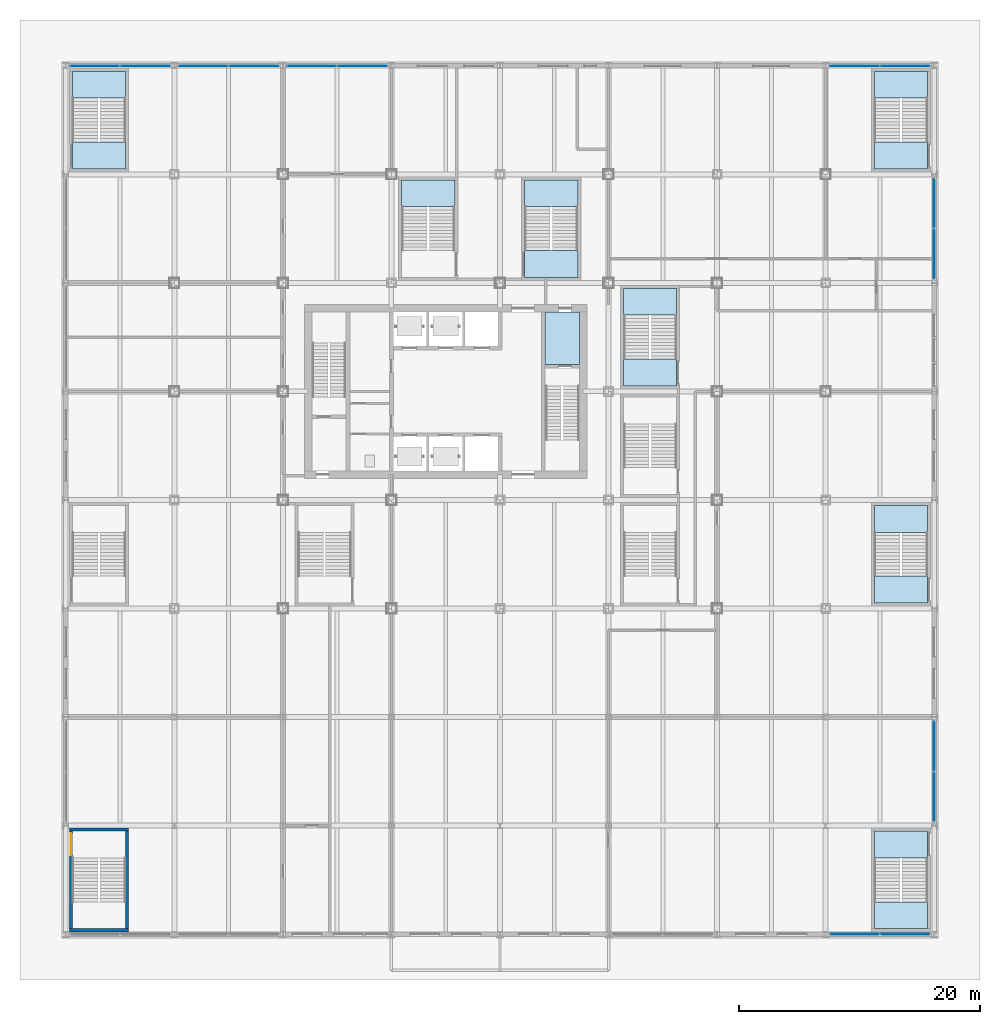
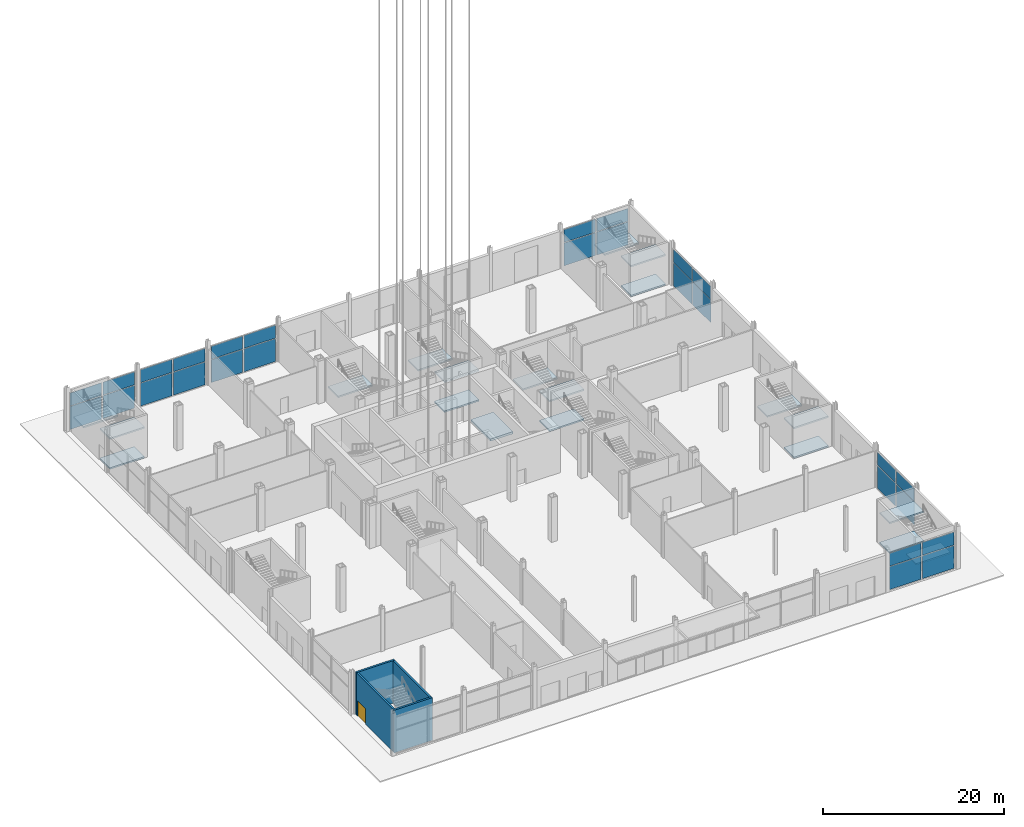
# One storey, part 17 of 34: 28 plates, 20 slabs, 4 walls, 1 door, 1 opening, 14 elements without a shape of their own.
"""IFC4 building model written with IfcOpenShell, lengths in metres."""

from ifc_helpers import new_model, si_unit, direction, frame, frame_2d, origin, origin_2d, place, context, subcontext, project, spatial, polyline, rectangle, outline, extrude, material, layer, layer_set, type_object, element, fill, aggregate, save


model = new_model("IFC4")

# Units and contexts
model_context = context("Model", 3, precision=1e-05, world=origin(), true_north=direction((0.0, 1.0)))
body_context = subcontext(model_context, "Body", "Model", "MODEL_VIEW")
ifc_project = project(units=[si_unit("LENGTHUNIT", "METRE"), si_unit("AREAUNIT", "SQUARE_METRE"), si_unit("VOLUMEUNIT", "CUBIC_METRE"), si_unit("PLANEANGLEUNIT", "RADIAN"), si_unit("MASSUNIT", "GRAM", prefix="KILO")], contexts=[model_context])

# Site, building, storey
site_placement = place(None, origin())
site = spatial("IfcSite", under=ifc_project, at=site_placement, CompositionType="ELEMENT")
building_placement = place(site_placement, origin())
building = spatial("IfcBuilding", under=site, at=building_placement, Name="Loomwork Tower", CompositionType="ELEMENT")
storey_placement = place(building_placement, origin())
storey = spatial("IfcBuildingStorey", under=building, at=storey_placement, Name="L00", CompositionType="ELEMENT", Elevation=0.0)

# Slab
ifc_material_1 = material(Name="Concrete 5000 psi (34 MPa) on composite metal deck", Category="concrete")
ifc_layer_1 = layer(ifc_material_1, 0.300048828125)
ifc_layer_set_1 = layer_set([ifc_layer_1], Name="Floor slab 300")
slab_type_1 = type_object("IfcSlabType", Name="Floor slab 300", PredefinedType="FLOOR", material=ifc_layer_set_1)
slab_1_placement = place(storey_placement, frame((0.0, 0.0, -0.300048828125)))
element("IfcSlab", 1, at=slab_1_placement, inside=storey, type_object=slab_type_1, Name="Floor slab L00", PredefinedType="FLOOR", context=body_context, shape_type="SweptSolid", body=[
    extrude(outline(polyline([(33.60009765625, 20.25), (30.75, 20.25), (30.75, 24.60009765625), (33.60009765625, 24.60009765625), (33.60009765625, 20.25)])), origin(), (0.0, 0.0, 1.0), 0.300048828125),
])

# Stair, slabs
ifc_material_2 = material(Name="Concrete 5000 psi (34 MPa) precast stair", Category="concrete")
stair_type_1 = type_object("IfcStairType", Name="Stair ST-S2P 42 risers of 143 4400 wide", PredefinedType="HALF_TURN_STAIR", material=ifc_material_2)
stair_1_placement = place(storey_placement, origin())
stair_1 = element("IfcStair", 2, at=stair_1_placement, inside=storey, type_object=stair_type_1, Name="Podium stair PS2 L00", PredefinedType="HALF_TURN_STAIR")
ifc_material_3 = material(Name="Concrete 5000 psi (34 MPa)", Category="concrete")
ifc_layer_2 = layer(ifc_material_3, 0.199951171875)
ifc_layer_set_2 = layer_set([ifc_layer_2], Name="Stair landing 200")
slab_type_2 = type_object("IfcSlabType", Name="Stair landing 200", PredefinedType="LANDING", material=ifc_layer_set_2)
slab_2_placement = place(storey_placement, frame((0.0, 0.0, -0.199951171875)))
slab_2 = element("IfcSlab", 3, at=slab_2_placement, type_object=slab_type_2, Name="ST-S2P landing 1", PredefinedType="LANDING", context=body_context, shape_type="SweptSolid", body=[
    extrude(outline(polyline([(58.050048828125, -20.679931640625), (62.449951171875, -20.679931640625), (62.449951171875, -18.449951171875), (58.050048828125, -18.449951171875), (58.050048828125, -20.679931640625)])), origin(), (0.0, 0.0, 1.0), 0.199951171875),
])
slab_3_placement = place(storey_placement, frame((0.0, 0.0, 1.800048828125)))
slab_3 = element("IfcSlab", 4, at=slab_3_placement, type_object=slab_type_2, Name="ST-S2P landing 2", PredefinedType="LANDING", context=body_context, shape_type="SweptSolid", body=[
    extrude(outline(polyline([(58.050048828125, -26.550048828125), (62.449951171875, -26.550048828125), (62.449951171875, -24.320068359375), (58.050048828125, -24.320068359375), (58.050048828125, -26.550048828125)])), origin(), (0.0, 0.0, 1.0), 0.199951171875),
])
slab_4_placement = place(storey_placement, frame((0.0, 0.0, 3.800048828125)))
slab_4 = element("IfcSlab", 5, at=slab_4_placement, type_object=slab_type_2, Name="ST-S2P landing 3", PredefinedType="LANDING", context=body_context, shape_type="SweptSolid", body=[
    extrude(outline(polyline([(58.050048828125, -20.679931640625), (62.449951171875, -20.679931640625), (62.449951171875, -18.449951171875), (58.050048828125, -18.449951171875), (58.050048828125, -20.679931640625)])), origin(), (0.0, 0.0, 1.0), 0.199951171875),
])
aggregate(stair_1, [slab_2, slab_3, slab_4])

ifc_material_4 = material(Name="Concrete 5000 psi (34 MPa) precast stair", Category="concrete")
stair_type_2 = type_object("IfcStairType", Name="Stair ST-S3P 42 risers of 143 4400 wide", PredefinedType="HALF_TURN_STAIR", material=ifc_material_4)
stair_2_placement = place(storey_placement, origin())
stair_2 = element("IfcStair", 6, at=stair_2_placement, inside=storey, type_object=stair_type_2, Name="Podium stair PS3 L00", PredefinedType="HALF_TURN_STAIR")
slab_5_placement = place(storey_placement, frame((0.0, 0.0, -0.199951171875)))
slab_5 = element("IfcSlab", 7, at=slab_5_placement, type_object=slab_type_2, Name="ST-S3P landing 1", PredefinedType="LANDING", context=body_context, shape_type="SweptSolid", body=[
    extrude(outline(polyline([(-8.449951171875, 36.449951171875), (-4.050048828125, 36.449951171875), (-4.050048828125, 38.679931640625), (-8.449951171875, 38.679931640625), (-8.449951171875, 36.449951171875)])), origin(), (0.0, 0.0, 1.0), 0.199951171875),
])
slab_6_placement = place(storey_placement, frame((0.0, 0.0, 1.800048828125)))
slab_6 = element("IfcSlab", 8, at=slab_6_placement, type_object=slab_type_2, Name="ST-S3P landing 2", PredefinedType="LANDING", context=body_context, shape_type="SweptSolid", body=[
    extrude(outline(polyline([(-8.449951171875, 42.320068359375), (-4.050048828125, 42.320068359375), (-4.050048828125, 44.550048828125), (-8.449951171875, 44.550048828125), (-8.449951171875, 42.320068359375)])), origin(), (0.0, 0.0, 1.0), 0.199951171875),
])
slab_7_placement = place(storey_placement, frame((0.0, 0.0, 3.800048828125)))
slab_7 = element("IfcSlab", 9, at=slab_7_placement, type_object=slab_type_2, Name="ST-S3P landing 3", PredefinedType="LANDING", context=body_context, shape_type="SweptSolid", body=[
    extrude(outline(polyline([(-8.449951171875, 36.449951171875), (-4.050048828125, 36.449951171875), (-4.050048828125, 38.679931640625), (-8.449951171875, 38.679931640625), (-8.449951171875, 36.449951171875)])), origin(), (0.0, 0.0, 1.0), 0.199951171875),
])
aggregate(stair_2, [slab_5, slab_6, slab_7])

ifc_material_5 = material(Name="Concrete 5000 psi (34 MPa) precast stair", Category="concrete")
stair_type_3 = type_object("IfcStairType", Name="Stair ST-S4P 42 risers of 143 4400 wide", PredefinedType="HALF_TURN_STAIR", material=ifc_material_5)
stair_3_placement = place(storey_placement, origin())
stair_3 = element("IfcStair", 10, at=stair_3_placement, inside=storey, type_object=stair_type_3, Name="Podium stair PS4 L00", PredefinedType="HALF_TURN_STAIR")
slab_8_placement = place(storey_placement, frame((0.0, 0.0, -0.199951171875)))
slab_8 = element("IfcSlab", 11, at=slab_8_placement, type_object=slab_type_2, Name="ST-S4P landing 1", PredefinedType="LANDING", context=body_context, shape_type="SweptSolid", body=[
    extrude(outline(polyline([(58.050048828125, 36.449951171875), (62.449951171875, 36.449951171875), (62.449951171875, 38.679931640625), (58.050048828125, 38.679931640625), (58.050048828125, 36.449951171875)])), origin(), (0.0, 0.0, 1.0), 0.199951171875),
])
slab_9_placement = place(storey_placement, frame((0.0, 0.0, 1.800048828125)))
slab_9 = element("IfcSlab", 12, at=slab_9_placement, type_object=slab_type_2, Name="ST-S4P landing 2", PredefinedType="LANDING", context=body_context, shape_type="SweptSolid", body=[
    extrude(outline(polyline([(58.050048828125, 42.320068359375), (62.449951171875, 42.320068359375), (62.449951171875, 44.550048828125), (58.050048828125, 44.550048828125), (58.050048828125, 42.320068359375)])), origin(), (0.0, 0.0, 1.0), 0.199951171875),
])
slab_10_placement = place(storey_placement, frame((0.0, 0.0, 3.800048828125)))
slab_10 = element("IfcSlab", 13, at=slab_10_placement, type_object=slab_type_2, Name="ST-S4P landing 3", PredefinedType="LANDING", context=body_context, shape_type="SweptSolid", body=[
    extrude(outline(polyline([(58.050048828125, 36.449951171875), (62.449951171875, 36.449951171875), (62.449951171875, 38.679931640625), (58.050048828125, 38.679931640625), (58.050048828125, 36.449951171875)])), origin(), (0.0, 0.0, 1.0), 0.199951171875),
])
aggregate(stair_3, [slab_8, slab_9, slab_10])

ifc_material_6 = material(Name="Concrete 5000 psi (34 MPa) precast stair", Category="concrete")
stair_type_4 = type_object("IfcStairType", Name="Stair ST-S6P 42 risers of 143 4400 wide", PredefinedType="HALF_TURN_STAIR", material=ifc_material_6)
stair_4_placement = place(storey_placement, origin())
stair_4 = element("IfcStair", 14, at=stair_4_placement, inside=storey, type_object=stair_type_4, Name="Podium stair PS6 L00", PredefinedType="HALF_TURN_STAIR")
slab_11_placement = place(storey_placement, frame((0.0, 0.0, -0.199951171875)))
slab_11 = element("IfcSlab", 15, at=slab_11_placement, type_object=slab_type_2, Name="ST-S6P landing 1", PredefinedType="LANDING", context=body_context, shape_type="SweptSolid", body=[
    extrude(outline(polyline([(58.050048828125, 0.449951171875), (62.449951171875, 0.449951171875), (62.449951171875, 2.679931640625), (58.050048828125, 2.679931640625), (58.050048828125, 0.449951171875)])), origin(), (0.0, 0.0, 1.0), 0.199951171875),
])
slab_12_placement = place(storey_placement, frame((0.0, 0.0, 1.800048828125)))
slab_12 = element("IfcSlab", 16, at=slab_12_placement, type_object=slab_type_2, Name="ST-S6P landing 2", PredefinedType="LANDING", context=body_context, shape_type="SweptSolid", body=[
    extrude(outline(polyline([(58.050048828125, 6.320068359375), (62.449951171875, 6.320068359375), (62.449951171875, 8.550048828125), (58.050048828125, 8.550048828125), (58.050048828125, 6.320068359375)])), origin(), (0.0, 0.0, 1.0), 0.199951171875),
])
slab_13_placement = place(storey_placement, frame((0.0, 0.0, 3.800048828125)))
slab_13 = element("IfcSlab", 17, at=slab_13_placement, type_object=slab_type_2, Name="ST-S6P landing 3", PredefinedType="LANDING", context=body_context, shape_type="SweptSolid", body=[
    extrude(outline(polyline([(58.050048828125, 0.449951171875), (62.449951171875, 0.449951171875), (62.449951171875, 2.679931640625), (58.050048828125, 2.679931640625), (58.050048828125, 0.449951171875)])), origin(), (0.0, 0.0, 1.0), 0.199951171875),
])
aggregate(stair_4, [slab_11, slab_12, slab_13])

ifc_material_7 = material(Name="Concrete 5000 psi (34 MPa) precast stair", Category="concrete")
stair_type_5 = type_object("IfcStairType", Name="Stair ST-S9P 42 risers of 143 4400 wide", PredefinedType="HALF_TURN_STAIR", material=ifc_material_7)
stair_5_placement = place(storey_placement, origin())
stair_5 = element("IfcStair", 18, at=stair_5_placement, inside=storey, type_object=stair_type_5, Name="Podium stair PS9 L00", PredefinedType="HALF_TURN_STAIR")
slab_14_placement = place(storey_placement, frame((0.0, 0.0, -0.199951171875)))
slab_14 = element("IfcSlab", 19, at=slab_14_placement, type_object=slab_type_2, Name="ST-S9P landing 1", PredefinedType="LANDING", context=body_context, shape_type="SweptSolid", body=[
    extrude(outline(polyline([(37.25, 18.449951171875), (41.64990234375, 18.449951171875), (41.64990234375, 20.679931640625), (37.25, 20.679931640625), (37.25, 18.449951171875)])), origin(), (0.0, 0.0, 1.0), 0.199951171875),
])
slab_15_placement = place(storey_placement, frame((0.0, 0.0, 1.800048828125)))
slab_15 = element("IfcSlab", 20, at=slab_15_placement, type_object=slab_type_2, Name="ST-S9P landing 2", PredefinedType="LANDING", context=body_context, shape_type="SweptSolid", body=[
    extrude(outline(polyline([(37.25, 24.320068359375), (41.64990234375, 24.320068359375), (41.64990234375, 26.550048828125), (37.25, 26.550048828125), (37.25, 24.320068359375)])), origin(), (0.0, 0.0, 1.0), 0.199951171875),
])
slab_16_placement = place(storey_placement, frame((0.0, 0.0, 3.800048828125)))
slab_16 = element("IfcSlab", 21, at=slab_16_placement, type_object=slab_type_2, Name="ST-S9P landing 3", PredefinedType="LANDING", context=body_context, shape_type="SweptSolid", body=[
    extrude(outline(polyline([(37.25, 18.449951171875), (41.64990234375, 18.449951171875), (41.64990234375, 20.679931640625), (37.25, 20.679931640625), (37.25, 18.449951171875)])), origin(), (0.0, 0.0, 1.0), 0.199951171875),
])
aggregate(stair_5, [slab_14, slab_15, slab_16])

# Stair, slab
ifc_material_8 = material(Name="Concrete 5000 psi (34 MPa) precast stair", Category="concrete")
stair_type_6 = type_object("IfcStairType", Name="Stair ST-S10P 42 risers of 143 4400 wide", PredefinedType="HALF_TURN_STAIR", material=ifc_material_8)
stair_6_placement = place(storey_placement, origin())
stair_6 = element("IfcStair", 22, at=stair_6_placement, inside=storey, type_object=stair_type_6, Name="Podium stair PS10 L00", PredefinedType="HALF_TURN_STAIR")
slab_17_placement = place(storey_placement, frame((0.0, 0.0, 1.800048828125)))
slab_17 = element("IfcSlab", 23, at=slab_17_placement, type_object=slab_type_2, Name="ST-S10P landing 2", PredefinedType="LANDING", context=body_context, shape_type="SweptSolid", body=[
    extrude(outline(polyline([(18.85009765625, 33.320068359375), (23.25, 33.320068359375), (23.25, 35.550048828125), (18.85009765625, 35.550048828125), (18.85009765625, 33.320068359375)])), origin(), (0.0, 0.0, 1.0), 0.199951171875),
])
aggregate(stair_6, [slab_17])

# Stair, slabs
ifc_material_9 = material(Name="Concrete 5000 psi (34 MPa) precast stair", Category="concrete")
stair_type_7 = type_object("IfcStairType", Name="Stair ST-S11P 42 risers of 143 4400 wide", PredefinedType="HALF_TURN_STAIR", material=ifc_material_9)
stair_7_placement = place(storey_placement, origin())
stair_7 = element("IfcStair", 24, at=stair_7_placement, inside=storey, type_object=stair_type_7, Name="Podium stair PS11 L00", PredefinedType="HALF_TURN_STAIR")
slab_18_placement = place(storey_placement, frame((0.0, 0.0, -0.199951171875)))
slab_18 = element("IfcSlab", 25, at=slab_18_placement, type_object=slab_type_2, Name="ST-S11P landing 1", PredefinedType="LANDING", context=body_context, shape_type="SweptSolid", body=[
    extrude(outline(polyline([(29.050048828125, 27.449951171875), (33.449951171875, 27.449951171875), (33.449951171875, 29.679931640625), (29.050048828125, 29.679931640625), (29.050048828125, 27.449951171875)])), origin(), (0.0, 0.0, 1.0), 0.199951171875),
])
slab_19_placement = place(storey_placement, frame((0.0, 0.0, 1.800048828125)))
slab_19 = element("IfcSlab", 26, at=slab_19_placement, type_object=slab_type_2, Name="ST-S11P landing 2", PredefinedType="LANDING", context=body_context, shape_type="SweptSolid", body=[
    extrude(outline(polyline([(29.050048828125, 33.320068359375), (33.449951171875, 33.320068359375), (33.449951171875, 35.550048828125), (29.050048828125, 35.550048828125), (29.050048828125, 33.320068359375)])), origin(), (0.0, 0.0, 1.0), 0.199951171875),
])
slab_20_placement = place(storey_placement, frame((0.0, 0.0, 3.800048828125)))
slab_20 = element("IfcSlab", 27, at=slab_20_placement, type_object=slab_type_2, Name="ST-S11P landing 3", PredefinedType="LANDING", context=body_context, shape_type="SweptSolid", body=[
    extrude(outline(polyline([(29.050048828125, 27.449951171875), (33.449951171875, 27.449951171875), (33.449951171875, 29.679931640625), (29.050048828125, 29.679931640625), (29.050048828125, 27.449951171875)])), origin(), (0.0, 0.0, 1.0), 0.199951171875),
])
aggregate(stair_7, [slab_18, slab_19, slab_20])

# Curtain wall, plates
ifc_material_10 = material(Name="Aluminium storefront frame", Category="aluminium")
curtain_wall_type = type_object("IfcCurtainWallType", Name="Storefront glazing", PredefinedType="NOTDEFINED", material=ifc_material_10)
curtain_wall_1_placement = place(storey_placement, origin())
curtain_wall_1 = element("IfcCurtainWall", 28, at=curtain_wall_1_placement, inside=storey, type_object=curtain_wall_type, Name="Storefront glazing cw/S-54", PredefinedType="NOTDEFINED")
ifc_material_11 = material(Name="Clear insulated glass", Category="glass")
ifc_layer_3 = layer(ifc_material_11, 0.031982421875)
ifc_layer_set_3 = layer_set([ifc_layer_3], Name="Storefront glazing panel")
plate_type = type_object("IfcPlateType", Name="Storefront glazing panel", PredefinedType="CURTAIN_PANEL", material=ifc_layer_set_3)
plate_1_placement = place(storey_placement, frame((56.4033203125, -27.0, 0.074951171875), z_axis=(0.0, 0.0, 1.0), x_axis=(1.0, 0.0, 0.0)))
plate_1 = element("IfcPlate", 29, at=plate_1_placement, type_object=plate_type, Name="CW7 panel 1.1", PredefinedType="CURTAIN_PANEL", context=body_context, shape_type="SweptSolid", body=[
    extrude(rectangle(XDim=3.997314453125, YDim=0.031982421875, at=origin_2d()), origin(), (0.0, 0.0, 1.0), 3.08740234375),
])
plate_2_placement = place(storey_placement, frame((56.4033203125, -27.0, 3.2373046875), z_axis=(0.0, 0.0, 1.0), x_axis=(1.0, 0.0, 0.0)))
plate_2 = element("IfcPlate", 30, at=plate_2_placement, type_object=plate_type, Name="CW7 panel 1.2", PredefinedType="CURTAIN_PANEL", context=body_context, shape_type="SweptSolid", body=[
    extrude(rectangle(XDim=3.997314453125, YDim=0.031982421875, at=origin_2d()), origin(), (0.0, 0.0, 1.0), 1.741455078125),
])
plate_3_placement = place(storey_placement, frame((60.6005859375, -27.0, 0.074951171875), z_axis=(0.0, 0.0, 1.0), x_axis=(1.0, 0.0, 0.0)))
plate_3 = element("IfcPlate", 31, at=plate_3_placement, type_object=plate_type, Name="CW7 panel 2.1", PredefinedType="CURTAIN_PANEL", context=body_context, shape_type="SweptSolid", body=[
    extrude(rectangle(XDim=3.997314453125, YDim=0.031982421875, at=origin_2d()), origin(), (0.0, 0.0, 1.0), 3.08740234375),
])
plate_4_placement = place(storey_placement, frame((60.6005859375, -27.0, 3.2373046875), z_axis=(0.0, 0.0, 1.0), x_axis=(1.0, 0.0, 0.0)))
plate_4 = element("IfcPlate", 32, at=plate_4_placement, type_object=plate_type, Name="CW7 panel 2.2", PredefinedType="CURTAIN_PANEL", context=body_context, shape_type="SweptSolid", body=[
    extrude(rectangle(XDim=3.997314453125, YDim=0.031982421875, at=origin_2d()), origin(), (0.0, 0.0, 1.0), 1.741455078125),
])
aggregate(curtain_wall_1, [plate_1, plate_2, plate_3, plate_4])

curtain_wall_2_placement = place(storey_placement, origin())
curtain_wall_2 = element("IfcCurtainWall", 33, at=curtain_wall_2_placement, inside=storey, type_object=curtain_wall_type, Name="Storefront glazing cw/N--9", PredefinedType="NOTDEFINED")
plate_5_placement = place(storey_placement, frame((-2.400390625, 45.0, 0.074951171875), z_axis=(0.0, 0.0, 1.0), x_axis=(-1.0, 0.0, 0.0)))
plate_5 = element("IfcPlate", 34, at=plate_5_placement, type_object=plate_type, Name="CW7 panel 1.1", PredefinedType="CURTAIN_PANEL", context=body_context, shape_type="SweptSolid", body=[
    extrude(rectangle(XDim=3.999267578125, YDim=0.031982421875, at=origin_2d()), origin(), (0.0, 0.0, 1.0), 3.08740234375),
])
plate_6_placement = place(storey_placement, frame((-2.400390625, 45.0, 3.2373046875), z_axis=(0.0, 0.0, 1.0), x_axis=(-1.0, 0.0, 0.0)))
plate_6 = element("IfcPlate", 35, at=plate_6_placement, type_object=plate_type, Name="CW7 panel 1.2", PredefinedType="CURTAIN_PANEL", context=body_context, shape_type="SweptSolid", body=[
    extrude(rectangle(XDim=3.999267578125, YDim=0.031982421875, at=origin_2d()), origin(), (0.0, 0.0, 1.0), 1.741455078125),
])
plate_7_placement = place(storey_placement, frame((-6.599609375, 45.0, 0.074951171875), z_axis=(0.0, 0.0, 1.0), x_axis=(-1.0, 0.0, 0.0)))
plate_7 = element("IfcPlate", 36, at=plate_7_placement, type_object=plate_type, Name="CW7 panel 2.1", PredefinedType="CURTAIN_PANEL", context=body_context, shape_type="SweptSolid", body=[
    extrude(rectangle(XDim=3.999267578125, YDim=0.031982421875, at=origin_2d()), origin(), (0.0, 0.0, 1.0), 3.08740234375),
])
plate_8_placement = place(storey_placement, frame((-6.599609375, 45.0, 3.2373046875), z_axis=(0.0, 0.0, 1.0), x_axis=(-1.0, 0.0, 0.0)))
plate_8 = element("IfcPlate", 37, at=plate_8_placement, type_object=plate_type, Name="CW7 panel 2.2", PredefinedType="CURTAIN_PANEL", context=body_context, shape_type="SweptSolid", body=[
    extrude(rectangle(XDim=3.999267578125, YDim=0.031982421875, at=origin_2d()), origin(), (0.0, 0.0, 1.0), 1.741455078125),
])
aggregate(curtain_wall_2, [plate_5, plate_6, plate_7, plate_8])

curtain_wall_3_placement = place(storey_placement, origin())
curtain_wall_3 = element("IfcCurtainWall", 38, at=curtain_wall_3_placement, inside=storey, type_object=curtain_wall_type, Name="Storefront glazing cw/N-0", PredefinedType="NOTDEFINED")
plate_9_placement = place(storey_placement, frame((6.599609375, 45.0, 0.074951171875), z_axis=(0.0, 0.0, 1.0), x_axis=(-1.0, 0.0, 0.0)))
plate_9 = element("IfcPlate", 39, at=plate_9_placement, type_object=plate_type, Name="CW7 panel 1.1", PredefinedType="CURTAIN_PANEL", context=body_context, shape_type="SweptSolid", body=[
    extrude(rectangle(XDim=3.999267578125, YDim=0.031982421875, at=origin_2d()), origin(), (0.0, 0.0, 1.0), 3.08740234375),
])
plate_10_placement = place(storey_placement, frame((6.599609375, 45.0, 3.2373046875), z_axis=(0.0, 0.0, 1.0), x_axis=(-1.0, 0.0, 0.0)))
plate_10 = element("IfcPlate", 40, at=plate_10_placement, type_object=plate_type, Name="CW7 panel 1.2", PredefinedType="CURTAIN_PANEL", context=body_context, shape_type="SweptSolid", body=[
    extrude(rectangle(XDim=3.999267578125, YDim=0.031982421875, at=origin_2d()), origin(), (0.0, 0.0, 1.0), 1.741455078125),
])
plate_11_placement = place(storey_placement, frame((2.400390625, 45.0, 0.074951171875), z_axis=(0.0, 0.0, 1.0), x_axis=(-1.0, 0.0, 0.0)))
plate_11 = element("IfcPlate", 41, at=plate_11_placement, type_object=plate_type, Name="CW7 panel 2.1", PredefinedType="CURTAIN_PANEL", context=body_context, shape_type="SweptSolid", body=[
    extrude(rectangle(XDim=3.999267578125, YDim=0.031982421875, at=origin_2d()), origin(), (0.0, 0.0, 1.0), 3.08740234375),
])
plate_12_placement = place(storey_placement, frame((2.400390625, 45.0, 3.2373046875), z_axis=(0.0, 0.0, 1.0), x_axis=(-1.0, 0.0, 0.0)))
plate_12 = element("IfcPlate", 42, at=plate_12_placement, type_object=plate_type, Name="CW7 panel 2.2", PredefinedType="CURTAIN_PANEL", context=body_context, shape_type="SweptSolid", body=[
    extrude(rectangle(XDim=3.999267578125, YDim=0.031982421875, at=origin_2d()), origin(), (0.0, 0.0, 1.0), 1.741455078125),
])
aggregate(curtain_wall_3, [plate_9, plate_10, plate_11, plate_12])

curtain_wall_4_placement = place(storey_placement, origin())
curtain_wall_4 = element("IfcCurtainWall", 43, at=curtain_wall_4_placement, inside=storey, type_object=curtain_wall_type, Name="Storefront glazing cw/N-9", PredefinedType="NOTDEFINED")
plate_13_placement = place(storey_placement, frame((15.599609375, 45.0, 0.074951171875), z_axis=(0.0, 0.0, 1.0), x_axis=(-1.0, 0.0, 0.0)))
plate_13 = element("IfcPlate", 44, at=plate_13_placement, type_object=plate_type, Name="CW7 panel 1.1", PredefinedType="CURTAIN_PANEL", context=body_context, shape_type="SweptSolid", body=[
    extrude(rectangle(XDim=3.999267578125, YDim=0.031982421875, at=origin_2d()), origin(), (0.0, 0.0, 1.0), 3.08740234375),
])
plate_14_placement = place(storey_placement, frame((15.599609375, 45.0, 3.2373046875), z_axis=(0.0, 0.0, 1.0), x_axis=(-1.0, 0.0, 0.0)))
plate_14 = element("IfcPlate", 45, at=plate_14_placement, type_object=plate_type, Name="CW7 panel 1.2", PredefinedType="CURTAIN_PANEL", context=body_context, shape_type="SweptSolid", body=[
    extrude(rectangle(XDim=3.999267578125, YDim=0.031982421875, at=origin_2d()), origin(), (0.0, 0.0, 1.0), 1.741455078125),
])
plate_15_placement = place(storey_placement, frame((11.400390625, 45.0, 0.074951171875), z_axis=(0.0, 0.0, 1.0), x_axis=(-1.0, 0.0, 0.0)))
plate_15 = element("IfcPlate", 46, at=plate_15_placement, type_object=plate_type, Name="CW7 panel 2.1", PredefinedType="CURTAIN_PANEL", context=body_context, shape_type="SweptSolid", body=[
    extrude(rectangle(XDim=3.999267578125, YDim=0.031982421875, at=origin_2d()), origin(), (0.0, 0.0, 1.0), 3.08740234375),
])
plate_16_placement = place(storey_placement, frame((11.400390625, 45.0, 3.2373046875), z_axis=(0.0, 0.0, 1.0), x_axis=(-1.0, 0.0, 0.0)))
plate_16 = element("IfcPlate", 47, at=plate_16_placement, type_object=plate_type, Name="CW7 panel 2.2", PredefinedType="CURTAIN_PANEL", context=body_context, shape_type="SweptSolid", body=[
    extrude(rectangle(XDim=3.999267578125, YDim=0.031982421875, at=origin_2d()), origin(), (0.0, 0.0, 1.0), 1.741455078125),
])
aggregate(curtain_wall_4, [plate_13, plate_14, plate_15, plate_16])

curtain_wall_5_placement = place(storey_placement, origin())
curtain_wall_5 = element("IfcCurtainWall", 48, at=curtain_wall_5_placement, inside=storey, type_object=curtain_wall_type, Name="Storefront glazing cw/N-54", PredefinedType="NOTDEFINED")
plate_17_placement = place(storey_placement, frame((60.599609375, 45.0, 0.074951171875), z_axis=(0.0, 0.0, 1.0), x_axis=(-1.0, 0.0, 0.0)))
plate_17 = element("IfcPlate", 49, at=plate_17_placement, type_object=plate_type, Name="CW7 panel 1.1", PredefinedType="CURTAIN_PANEL", context=body_context, shape_type="SweptSolid", body=[
    extrude(rectangle(XDim=3.999267578125, YDim=0.031982421875, at=origin_2d()), origin(), (0.0, 0.0, 1.0), 3.08740234375),
])
plate_18_placement = place(storey_placement, frame((60.599609375, 45.0, 3.2373046875), z_axis=(0.0, 0.0, 1.0), x_axis=(-1.0, 0.0, 0.0)))
plate_18 = element("IfcPlate", 50, at=plate_18_placement, type_object=plate_type, Name="CW7 panel 1.2", PredefinedType="CURTAIN_PANEL", context=body_context, shape_type="SweptSolid", body=[
    extrude(rectangle(XDim=3.999267578125, YDim=0.031982421875, at=origin_2d()), origin(), (0.0, 0.0, 1.0), 1.741455078125),
])
plate_19_placement = place(storey_placement, frame((56.400390625, 45.0, 0.074951171875), z_axis=(0.0, 0.0, 1.0), x_axis=(-1.0, 0.0, 0.0)))
plate_19 = element("IfcPlate", 51, at=plate_19_placement, type_object=plate_type, Name="CW7 panel 2.1", PredefinedType="CURTAIN_PANEL", context=body_context, shape_type="SweptSolid", body=[
    extrude(rectangle(XDim=3.999267578125, YDim=0.031982421875, at=origin_2d()), origin(), (0.0, 0.0, 1.0), 3.08740234375),
])
plate_20_placement = place(storey_placement, frame((56.400390625, 45.0, 3.2373046875), z_axis=(0.0, 0.0, 1.0), x_axis=(-1.0, 0.0, 0.0)))
plate_20 = element("IfcPlate", 52, at=plate_20_placement, type_object=plate_type, Name="CW7 panel 2.2", PredefinedType="CURTAIN_PANEL", context=body_context, shape_type="SweptSolid", body=[
    extrude(rectangle(XDim=3.999267578125, YDim=0.031982421875, at=origin_2d()), origin(), (0.0, 0.0, 1.0), 1.741455078125),
])
aggregate(curtain_wall_5, [plate_17, plate_18, plate_19, plate_20])

curtain_wall_6_placement = place(storey_placement, origin())
curtain_wall_6 = element("IfcCurtainWall", 53, at=curtain_wall_6_placement, inside=storey, type_object=curtain_wall_type, Name="Storefront glazing cw/E--18", PredefinedType="NOTDEFINED")
plate_21_placement = place(storey_placement, frame((63.0, -15.599609375, 0.074951171875), z_axis=(0.0, 0.0, 1.0), x_axis=(0.0, 1.0, 0.0)))
plate_21 = element("IfcPlate", 54, at=plate_21_placement, type_object=plate_type, Name="CW7 panel 1.1", PredefinedType="CURTAIN_PANEL", context=body_context, shape_type="SweptSolid", body=[
    extrude(rectangle(XDim=3.999267578125, YDim=0.031982421875, at=origin_2d()), origin(), (0.0, 0.0, 1.0), 3.08740234375),
])
plate_22_placement = place(storey_placement, frame((63.0, -15.599609375, 3.2373046875), z_axis=(0.0, 0.0, 1.0), x_axis=(0.0, 1.0, 0.0)))
plate_22 = element("IfcPlate", 55, at=plate_22_placement, type_object=plate_type, Name="CW7 panel 1.2", PredefinedType="CURTAIN_PANEL", context=body_context, shape_type="SweptSolid", body=[
    extrude(rectangle(XDim=3.999267578125, YDim=0.031982421875, at=origin_2d()), origin(), (0.0, 0.0, 1.0), 1.741455078125),
])
plate_23_placement = place(storey_placement, frame((63.0, -11.400390625, 0.074951171875), z_axis=(0.0, 0.0, 1.0), x_axis=(0.0, 1.0, 0.0)))
plate_23 = element("IfcPlate", 56, at=plate_23_placement, type_object=plate_type, Name="CW7 panel 2.1", PredefinedType="CURTAIN_PANEL", context=body_context, shape_type="SweptSolid", body=[
    extrude(rectangle(XDim=3.999267578125, YDim=0.031982421875, at=origin_2d()), origin(), (0.0, 0.0, 1.0), 3.08740234375),
])
plate_24_placement = place(storey_placement, frame((63.0, -11.400390625, 3.2373046875), z_axis=(0.0, 0.0, 1.0), x_axis=(0.0, 1.0, 0.0)))
plate_24 = element("IfcPlate", 57, at=plate_24_placement, type_object=plate_type, Name="CW7 panel 2.2", PredefinedType="CURTAIN_PANEL", context=body_context, shape_type="SweptSolid", body=[
    extrude(rectangle(XDim=3.999267578125, YDim=0.031982421875, at=origin_2d()), origin(), (0.0, 0.0, 1.0), 1.741455078125),
])
aggregate(curtain_wall_6, [plate_21, plate_22, plate_23, plate_24])

curtain_wall_7_placement = place(storey_placement, origin())
curtain_wall_7 = element("IfcCurtainWall", 58, at=curtain_wall_7_placement, inside=storey, type_object=curtain_wall_type, Name="Storefront glazing cw/E-27", PredefinedType="NOTDEFINED")
plate_25_placement = place(storey_placement, frame((63.0, 29.400390625, 0.074951171875), z_axis=(0.0, 0.0, 1.0), x_axis=(0.0, 1.0, 0.0)))
plate_25 = element("IfcPlate", 59, at=plate_25_placement, type_object=plate_type, Name="CW7 panel 1.1", PredefinedType="CURTAIN_PANEL", context=body_context, shape_type="SweptSolid", body=[
    extrude(rectangle(XDim=3.999267578125, YDim=0.031982421875, at=origin_2d()), origin(), (0.0, 0.0, 1.0), 3.08740234375),
])
plate_26_placement = place(storey_placement, frame((63.0, 29.400390625, 3.2373046875), z_axis=(0.0, 0.0, 1.0), x_axis=(0.0, 1.0, 0.0)))
plate_26 = element("IfcPlate", 60, at=plate_26_placement, type_object=plate_type, Name="CW7 panel 1.2", PredefinedType="CURTAIN_PANEL", context=body_context, shape_type="SweptSolid", body=[
    extrude(rectangle(XDim=3.999267578125, YDim=0.031982421875, at=origin_2d()), origin(), (0.0, 0.0, 1.0), 1.741455078125),
])
plate_27_placement = place(storey_placement, frame((63.0, 33.599609375, 0.074951171875), z_axis=(0.0, 0.0, 1.0), x_axis=(0.0, 1.0, 0.0)))
plate_27 = element("IfcPlate", 61, at=plate_27_placement, type_object=plate_type, Name="CW7 panel 2.1", PredefinedType="CURTAIN_PANEL", context=body_context, shape_type="SweptSolid", body=[
    extrude(rectangle(XDim=3.999267578125, YDim=0.031982421875, at=origin_2d()), origin(), (0.0, 0.0, 1.0), 3.08740234375),
])
plate_28_placement = place(storey_placement, frame((63.0, 33.599609375, 3.2373046875), z_axis=(0.0, 0.0, 1.0), x_axis=(0.0, 1.0, 0.0)))
plate_28 = element("IfcPlate", 62, at=plate_28_placement, type_object=plate_type, Name="CW7 panel 2.2", PredefinedType="CURTAIN_PANEL", context=body_context, shape_type="SweptSolid", body=[
    extrude(rectangle(XDim=3.999267578125, YDim=0.031982421875, at=origin_2d()), origin(), (0.0, 0.0, 1.0), 1.741455078125),
])
aggregate(curtain_wall_7, [plate_25, plate_26, plate_27, plate_28])

# Walls
ifc_material_12 = material(Name="Concrete masonry, two-hour", Category="masonry")
ifc_layer_4 = layer(ifc_material_12, 0.25)
ifc_layer_set_4 = layer_set([ifc_layer_4], Name="Stair enclosure wall 250")
wall_type = type_object("IfcWallType", Name="Stair enclosure wall 250", PredefinedType="SOLIDWALL", material=ifc_layer_set_4)
for number, where, z_axis, x_axis, name in (
    (63, (-8.699951171875, -26.675048828125, 0.0), (0.0, 0.0, 1.0), (1.0, 0.0, 0.0), "Stair PS1 enclosure wall S L00"),
    (64, (-8.699951171875, -18.324951171875, 0.0), (0.0, 0.0, 1.0), (1.0, 0.0, 0.0), "Stair PS1 enclosure wall N L00"),
):
    element("IfcWall", number, at=place(storey_placement, frame(where, z_axis=z_axis, x_axis=x_axis)), inside=storey, type_object=wall_type, Name=name, PredefinedType="SOLIDWALL", context=body_context, shape_type="SweptSolid", body=[
        extrude(rectangle(XDim=4.89990234375, YDim=0.25, at=frame_2d((2.449951171875, 0.0))), origin(), (0.0, 0.0, 1.0), 5.75),
    ])

# Wall, opening, door
wall_1_placement = place(storey_placement, frame((-8.574951171875, -26.550048828125, 0.0), z_axis=(0.0, 0.0, 1.0), x_axis=(0.0, 1.0, 0.0)))
wall_1 = element("IfcWall", 65, at=wall_1_placement, inside=storey, type_object=wall_type, Name="Stair PS1 enclosure wall W L00", PredefinedType="SOLIDWALL", context=body_context, shape_type="SweptSolid", body=[
    extrude(rectangle(XDim=8.10009765625, YDim=0.25, at=frame_2d((4.050048828125, 0.0))), origin(), (0.0, 0.0, 1.0), 5.75),
])
opening_placement = place(wall_1_placement, frame((6.10009765625, 0.0, 0.0)))
opening = element("IfcOpeningElement", 66, at=opening_placement, cuts=wall_1, Name="Opening D14", PredefinedType="OPENING", context=body_context, shape_type="SweptSolid", body=[
    extrude(rectangle(XDim=1.800048828125, YDim=2.10009765625, at=frame_2d((0.89990234375, 1.050048828125))), frame((0.0, 0.135009765625, 0.0), z_axis=(0.0, -1.0, 0.0), x_axis=(1.0, 0.0, 0.0)), (0.0, 0.0, 1.0), 0.27001953125),
])
ifc_material_13 = material(Name="Hollow metal door and frame")
door_type = type_object("IfcDoorType", Name="Stair double door 1800", OperationType="DOUBLE_DOOR_SINGLE_SWING", PredefinedType="DOOR", material=ifc_material_13)
door_placement = place(opening_placement, origin())
door = element("IfcDoor", 67, at=door_placement, inside=storey, type_object=door_type, Name="Stair PS1 exit discharge door L00", OperationType="DOUBLE_DOOR_SINGLE_SWING", OverallHeight=2.10009765625, OverallWidth=1.800048828125, PredefinedType="DOOR", context=body_context, shape_type="SweptSolid", body=[
    extrude(rectangle(XDim=1.800048828125, YDim=2.10009765625, at=frame_2d((0.89990234375, 1.050048828125))), frame((0.0, 0.02490234375, 0.0), z_axis=(0.0, -1.0, 0.0), x_axis=(1.0, 0.0, 0.0)), (0.0, 0.0, 1.0), 0.050048828125),
])
fill(opening, door)

# Wall
wall_2_placement = place(storey_placement, frame((-3.925048828125, -26.550048828125, 0.0), z_axis=(0.0, 0.0, 1.0), x_axis=(0.0, 1.0, 0.0)))
element("IfcWall", 68, at=wall_2_placement, inside=storey, type_object=wall_type, Name="Stair PS1 enclosure wall E L00", PredefinedType="SOLIDWALL", context=body_context, shape_type="SweptSolid", body=[
    extrude(rectangle(XDim=8.10009765625, YDim=0.25, at=frame_2d((4.050048828125, 0.0))), origin(), (0.0, 0.0, 1.0), 5.75),
])

save(model, "model.ifc")
